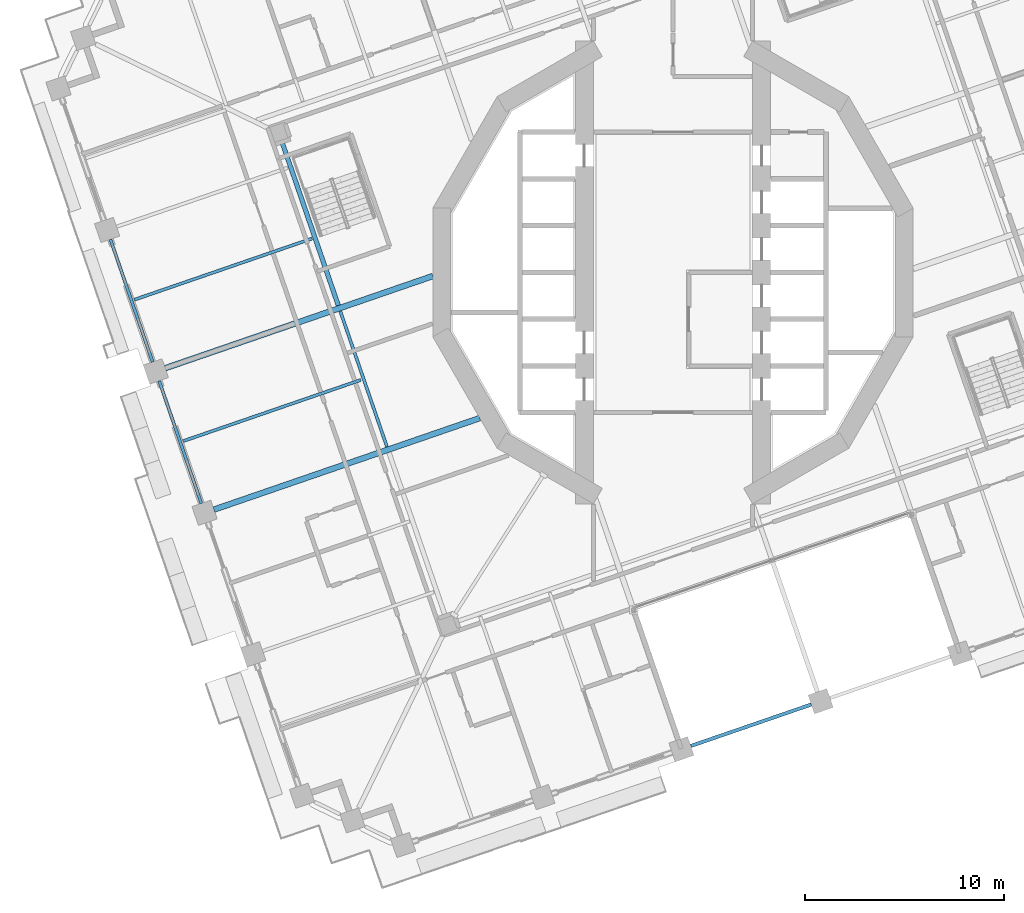
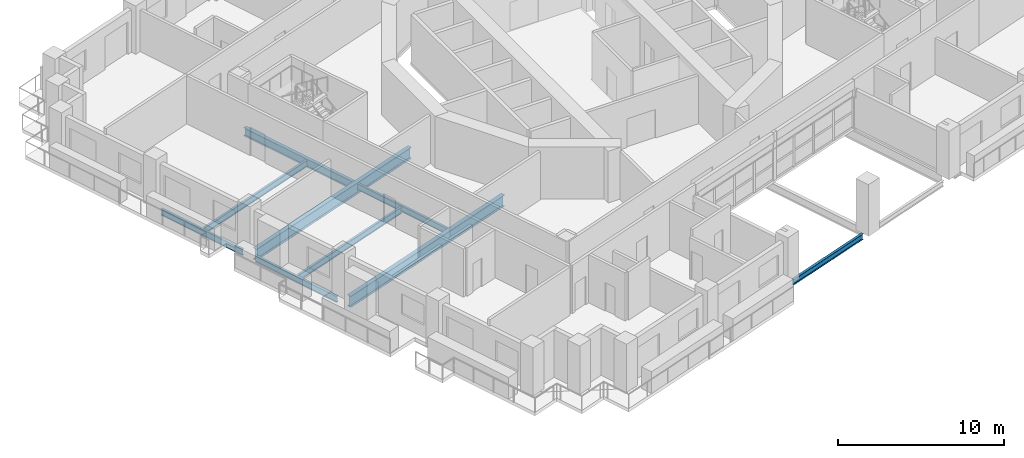
# One storey, part 3 of 22: 9 beams.
"""IFC4 building model written with IfcOpenShell, lengths in metres."""

from ifc_helpers import new_model, si_unit, direction, frame, origin, origin_2d, place, context, subcontext, project, spatial, i_section, extrude, material, material_profile, profile_set, type_object, element, save


model = new_model("IFC4")

# Units and contexts
model_context = context("Model", 3, precision=1e-05, world=origin(), true_north=direction((0.0, 1.0)))
body_context = subcontext(model_context, "Body", "Model", "MODEL_VIEW")
ifc_project = project(units=[si_unit("LENGTHUNIT", "METRE"), si_unit("AREAUNIT", "SQUARE_METRE"), si_unit("VOLUMEUNIT", "CUBIC_METRE"), si_unit("PLANEANGLEUNIT", "RADIAN"), si_unit("MASSUNIT", "GRAM", prefix="KILO")], contexts=[model_context])

# Site, building, storey
site_placement = place(None, origin())
site = spatial("IfcSite", under=ifc_project, at=site_placement, CompositionType="ELEMENT")
building_placement = place(site_placement, origin())
building = spatial("IfcBuilding", under=site, at=building_placement, Name="Cantera Rosa Tower", CompositionType="ELEMENT")
storey_placement = place(building_placement, frame((0.0, 0.0, 104.10009765625)))
storey = spatial("IfcBuildingStorey", under=building, at=storey_placement, Name="L20", CompositionType="ELEMENT", Elevation=104.10009765625)

# Beams
ifc_material_1 = material(Name="Steel ASTM A992 (Fy 345 MPa)", Category="steel")
ifc_material_profile_1 = material_profile(ifc_material_1, i_section(OverallWidth=0.154052734375, OverallDepth=0.4599609375, WebThickness=0.009033203125, FlangeThickness=0.015380859375, FilletRadius=0.01025390625, at=origin_2d()), Name="W460X68")
ifc_profile_set_1 = profile_set([ifc_material_profile_1], Name="Steel ASTM A992 (Fy 345 MPa)")
beam_type_1 = type_object("IfcBeamType", Name="STEEL BEAM W460X68", PredefinedType="BEAM", material=ifc_profile_set_1)
beam_1_placement = place(storey_placement, frame((-14.37841796875, -8.768798828125, -0.47998046875), z_axis=(-0.325575881702, 0.94551591486, 0.0), x_axis=(-0.94551591486, -0.325575881702, 0.0)))
element("IfcBeam", 1, at=beam_1_placement, inside=storey, type_object=beam_type_1, Name="RB-Z2-13 L20", PredefinedType="BEAM", context=body_context, shape_type="SweptSolid", body=[
    extrude(i_section(OverallWidth=0.154052734375, OverallDepth=0.4599609375, WebThickness=0.009033203125, FlangeThickness=0.015380859375, FilletRadius=0.01025390625, at=origin_2d()), origin(), (0.0, 0.0, 1.0), 7.2197265625),
])
ifc_material_2 = material(Name="Steel ASTM A992 (Fy 345 MPa)", Category="steel")
ifc_material_profile_2 = material_profile(ifc_material_2, i_section(OverallWidth=0.22802734375, OverallDepth=0.60205078125, WebThickness=0.010498046875, FlangeThickness=0.014892578125, FilletRadius=0.0126953125, at=origin_2d()), Name="W610X101")
ifc_profile_set_2 = profile_set([ifc_material_profile_2], Name="Steel ASTM A992 (Fy 345 MPa)")
beam_type_2 = type_object("IfcBeamType", Name="STEEL BEAM W610X101", PredefinedType="BEAM", material=ifc_profile_set_2)
beam_2_placement = place(storey_placement, frame((-16.82666015625, -1.65869140625, -0.551025390625), z_axis=(-0.325584584945, 0.945512917969, 0.0), x_axis=(-0.945512917969, -0.325584584945, 0.0)))
element("IfcBeam", 2, at=beam_2_placement, inside=storey, type_object=beam_type_2, Name="RB-Z2-14 L20", PredefinedType="BEAM", context=body_context, shape_type="SweptSolid", body=[
    extrude(i_section(OverallWidth=0.22802734375, OverallDepth=0.60205078125, WebThickness=0.010498046875, FlangeThickness=0.014892578125, FilletRadius=0.0126953125, at=origin_2d()), origin(), (0.0, 0.0, 1.0), 8.68994140625),
])
ifc_material_3 = material(Name="Steel ASTM A992 (Fy 345 MPa)", Category="steel")
ifc_material_profile_3 = material_profile(ifc_material_3, i_section(OverallWidth=0.2919921875, OverallDepth=0.8359375, WebThickness=0.013916015625, FlangeThickness=0.018798828125, FilletRadius=0.017822265625, at=origin_2d()), Name="W840X176")
ifc_profile_set_3 = profile_set([ifc_material_profile_3], Name="Steel ASTM A992 (Fy 345 MPa)")
beam_type_3 = type_object("IfcBeamType", Name="STEEL BEAM W840X176", PredefinedType="BEAM", material=ifc_profile_set_3)
beam_3_placement = place(storey_placement, frame((-25.52392578125, -4.81201171875, -0.668212890625), z_axis=(0.945515154884, 0.325578088765, 0.0), x_axis=(-0.325578088765, 0.945515154884, 0.0)))
element("IfcBeam", 3, at=beam_3_placement, inside=storey, type_object=beam_type_3, Name="G-Z2-16 L20", PredefinedType="BEAM", context=body_context, shape_type="SweptSolid", body=[
    extrude(i_section(OverallWidth=0.2919921875, OverallDepth=0.8359375, WebThickness=0.013916015625, FlangeThickness=0.018798828125, FilletRadius=0.017822265625, at=origin_2d()), origin(), (0.0, 0.0, 1.0), 14.22509765625),
])
beam_4_placement = place(storey_placement, frame((-23.07568359375, -11.92236328125, -0.668212890625), z_axis=(0.945516836256, 0.325573205833, 0.0), x_axis=(-0.325573205833, 0.945516836256, 0.0)))
element("IfcBeam", 4, at=beam_4_placement, inside=storey, type_object=beam_type_3, Name="G-Z2-17 L20", PredefinedType="BEAM", context=body_context, shape_type="SweptSolid", body=[
    extrude(i_section(OverallWidth=0.2919921875, OverallDepth=0.8359375, WebThickness=0.013916015625, FlangeThickness=0.018798828125, FilletRadius=0.017822265625, at=origin_2d()), origin(), (0.0, 0.0, 1.0), 14.130615234375),
])
ifc_material_4 = material(Name="Steel ASTM A992 (Fy 345 MPa)", Category="steel")
ifc_material_profile_4 = material_profile(ifc_material_4, i_section(OverallWidth=0.154052734375, OverallDepth=0.4599609375, WebThickness=0.009033203125, FlangeThickness=0.015380859375, FilletRadius=0.01025390625, at=origin_2d()), Name="W460X68")
ifc_profile_set_4 = profile_set([ifc_material_profile_4], Name="Steel ASTM A992 (Fy 345 MPa)")
beam_type_4 = type_object("IfcBeamType", Name="STEEL JOIST W460X68", PredefinedType="JOIST", material=ifc_profile_set_4)
for number, where, z_axis, x_axis, name in (
    (5, (-27.0791015625, -1.370849609375, -0.47998046875), (0.945518943957, 0.325567084667, 0.0), (-0.325567084667, 0.945518943957, 0.0), "B-Z2-19 L20"),
    (6, (-24.630859375, -8.48095703125, -0.47998046875), (0.945526896389, 0.325543988125, 0.0), (-0.325543988125, 0.945526896389, 0.0), "B-Z2-20 L20"),
):
    element("IfcBeam", number, at=place(storey_placement, frame(where, z_axis=z_axis, x_axis=x_axis)), inside=storey, type_object=beam_type_4, Name=name, PredefinedType="JOIST", context=body_context, shape_type="SweptSolid", body=[
        extrude(i_section(OverallWidth=0.154052734375, OverallDepth=0.4599609375, WebThickness=0.009033203125, FlangeThickness=0.015380859375, FilletRadius=0.01025390625, at=origin_2d()), origin(), (0.0, 0.0, 1.0), 9.4501953125),
    ])
ifc_material_5 = material(Name="Steel ASTM A992 (Fy 345 MPa)", Category="steel")
ifc_material_profile_5 = material_profile(ifc_material_5, i_section(OverallWidth=0.177978515625, OverallDepth=0.406005859375, WebThickness=0.0078125, FlangeThickness=0.0126953125, FilletRadius=0.01025390625, at=origin_2d()), Name="W410X60")
ifc_profile_set_5 = profile_set([ifc_material_profile_5], Name="Steel ASTM A992 (Fy 345 MPa)")
beam_type_5 = type_object("IfcBeamType", Name="STEEL SPANDREL BEAM W410X60", PredefinedType="SPANDREL", material=ifc_profile_set_5)
beam_5_placement = place(storey_placement, frame((0.89892578125, -23.80419921875, -0.453125), z_axis=(0.945524496524, 0.325550958337, 0.0), x_axis=(-0.325550958337, 0.945524496524, 0.0)))
element("IfcBeam", 7, at=beam_5_placement, inside=storey, type_object=beam_type_5, Name="EB-Z2-25 L20", PredefinedType="SPANDREL", context=body_context, shape_type="SweptSolid", body=[
    extrude(i_section(OverallWidth=0.177978515625, OverallDepth=0.406005859375, WebThickness=0.0078125, FlangeThickness=0.0126953125, FilletRadius=0.01025390625, at=origin_2d()), origin(), (0.0, 0.0, 1.0), 6.39990234375),
])
ifc_material_6 = material(Name="Steel ASTM A992 (Fy 345 MPa)", Category="steel")
ifc_material_profile_6 = material_profile(ifc_material_6, i_section(OverallWidth=0.154052734375, OverallDepth=0.4599609375, WebThickness=0.009033203125, FlangeThickness=0.015380859375, FilletRadius=0.01025390625, at=origin_2d()), Name="W460X68")
ifc_profile_set_6 = profile_set([ifc_material_profile_6], Name="Steel ASTM A992 (Fy 345 MPa)")
beam_type_6 = type_object("IfcBeamType", Name="STEEL SPANDREL BEAM W460X68", PredefinedType="SPANDREL", material=ifc_profile_set_6)
for number, where, z_axis, x_axis, name in (
    (8, (-28.2822265625, 1.662841796875, -0.47998046875), (0.325580990241, -0.945514155787, 0.0), (0.945514155787, 0.325580990241, 0.0), "EB-Z2-17 L20"),
    (9, (-25.833984375, -5.447509765625, -0.47998046875), (0.325580990241, -0.945514155787, 0.0), (0.945514155787, 0.325580990241, 0.0), "EB-Z2-18 L20"),
):
    element("IfcBeam", number, at=place(storey_placement, frame(where, z_axis=z_axis, x_axis=x_axis)), inside=storey, type_object=beam_type_6, Name=name, PredefinedType="SPANDREL", context=body_context, shape_type="SweptSolid", body=[
        extrude(i_section(OverallWidth=0.154052734375, OverallDepth=0.4599609375, WebThickness=0.009033203125, FlangeThickness=0.015380859375, FilletRadius=0.01025390625, at=origin_2d()), origin(), (0.0, 0.0, 1.0), 6.52001953125),
    ])

save(model, "model.ifc")
